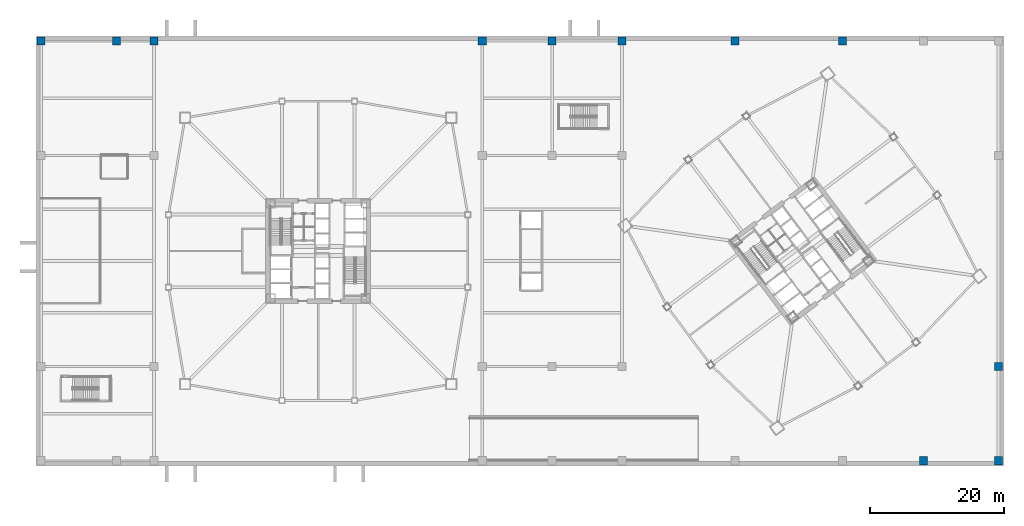
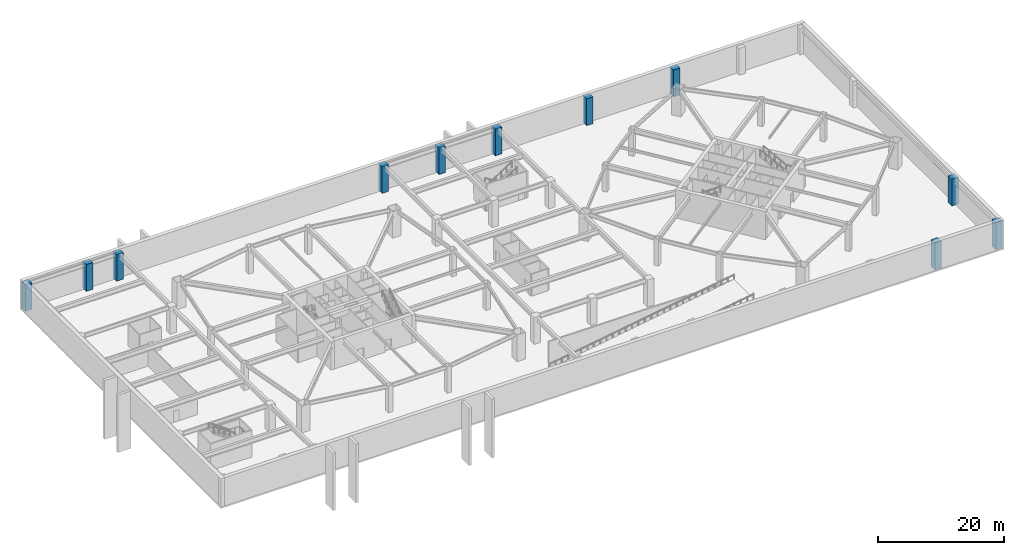
# One storey, part 3 of 17: 11 columns.
"""IFC4 building model written with IfcOpenShell, lengths in metres."""

from ifc_helpers import new_model, si_unit, direction, frame, origin, origin_2d, place, context, subcontext, project, spatial, rectangle, extrude, material, material_profile, profile_set, type_object, element, save


model = new_model("IFC4")

# Units and contexts
model_context = context("Model", 3, precision=1e-05, world=origin(), true_north=direction((0.0, 1.0)))
body_context = subcontext(model_context, "Body", "Model", "MODEL_VIEW")
ifc_project = project(units=[si_unit("LENGTHUNIT", "METRE"), si_unit("AREAUNIT", "SQUARE_METRE"), si_unit("VOLUMEUNIT", "CUBIC_METRE"), si_unit("PLANEANGLEUNIT", "RADIAN"), si_unit("MASSUNIT", "GRAM", prefix="KILO")], contexts=[model_context])

# Site, building, storey
site_placement = place(None, origin())
site = spatial("IfcSite", under=ifc_project, at=site_placement, CompositionType="ELEMENT")
building_placement = place(site_placement, origin())
building = spatial("IfcBuilding", under=site, at=building_placement, Name="Tashvorn Skyway Center", CompositionType="ELEMENT")
storey_placement = place(building_placement, frame((0.0, 0.0, -5.5)))
storey = spatial("IfcBuildingStorey", under=building, at=storey_placement, Name="B1", CompositionType="ELEMENT", Elevation=-5.5)

# Columns
ifc_material = material(Name="Concrete C50/60", Category="concrete")
ifc_material_profile = material_profile(ifc_material, rectangle(XDim=1.199951171875, YDim=1.199951171875, at=origin_2d()), Name="RC1200x1200")
ifc_profile_set = profile_set([ifc_material_profile], Name="Concrete C50/60")
column_type = type_object("IfcColumnType", Name="COL-RC1200x1200", PredefinedType="COLUMN", material=ifc_profile_set)
for number, where, z_axis, x_axis, name in (
    (1, (0.800048828125, 63.199951171875, 0.0), (0.0, 0.0, 1.0), (1.0, 0.0, 0.0), "B1 Podium Column PC-01-2"),
    (2, (12.0, 63.199951171875, 0.0), (0.0, 0.0, 1.0), (1.0, 0.0, 0.0), "B1 Podium Column PC-02-2"),
    (3, (17.60009765625, 63.199951171875, 0.0), (0.0, 0.0, 1.0), (1.0, 0.0, 0.0), "B1 Podium Column PC-03-2"),
    (4, (66.39990234375, 63.199951171875, 0.0), (0.0, 0.0, 1.0), (1.0, 0.0, 0.0), "B1 Podium Column PC-04-2"),
    (5, (76.800048828125, 63.199951171875, 0.0), (0.0, 0.0, 1.0), (1.0, 0.0, 0.0), "B1 Podium Column PC-05-2"),
    (6, (87.199951171875, 63.199951171875, 0.0), (0.0, 0.0, 1.0), (1.0, 0.0, 0.0), "B1 Podium Column PC-06-2"),
    (7, (104.0, 63.199951171875, 0.0), (0.0, 0.0, 1.0), (1.0, 0.0, 0.0), "B1 Podium Column PC-07-2"),
    (8, (120.0, 63.199951171875, 0.0), (0.0, 0.0, 1.0), (1.0, 0.0, 0.0), "B1 Podium Column PC-08-2"),
    (9, (132.0, 0.800048828125, 0.0), (0.0, 0.0, 1.0), (1.0, 0.0, 0.0), "B1 Podium Column PC-09-1"),
    (10, (143.199951171875, 0.800048828125, 0.0), (0.0, 0.0, 1.0), (1.0, 0.0, 0.0), "B1 Podium Column PC-10-1"),
    (11, (143.199951171875, 14.800048828125, 0.0), (0.0, 0.0, 1.0), (1.0, 0.0, 0.0), "B1 Podium Column PIC-06-1"),
):
    element("IfcColumn", number, at=place(storey_placement, frame(where, z_axis=z_axis, x_axis=x_axis)), inside=storey, type_object=column_type, Name=name, PredefinedType="COLUMN", context=body_context, shape_type="SweptSolid", body=[
        extrude(rectangle(XDim=1.199951171875, YDim=1.199951171875, at=origin_2d()), origin(), (0.0, 0.0, 1.0), 5.199951171875),
    ])

save(model, "model.ifc")
